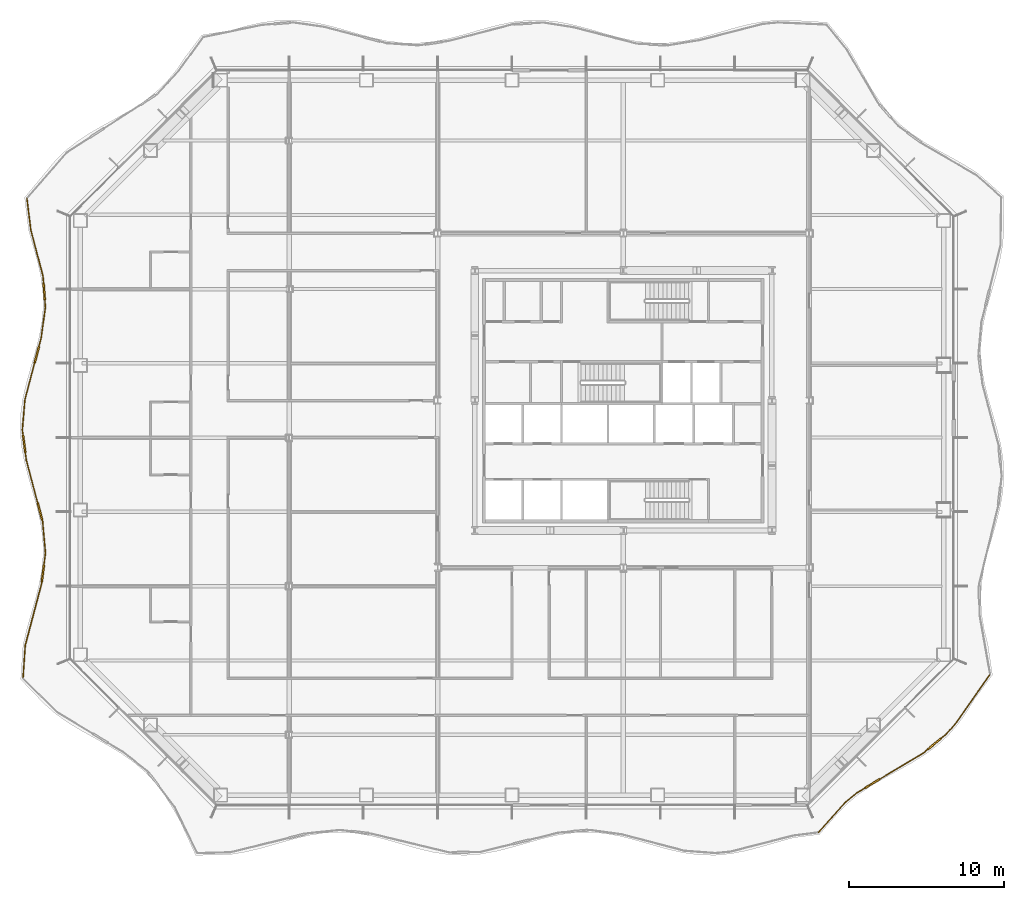
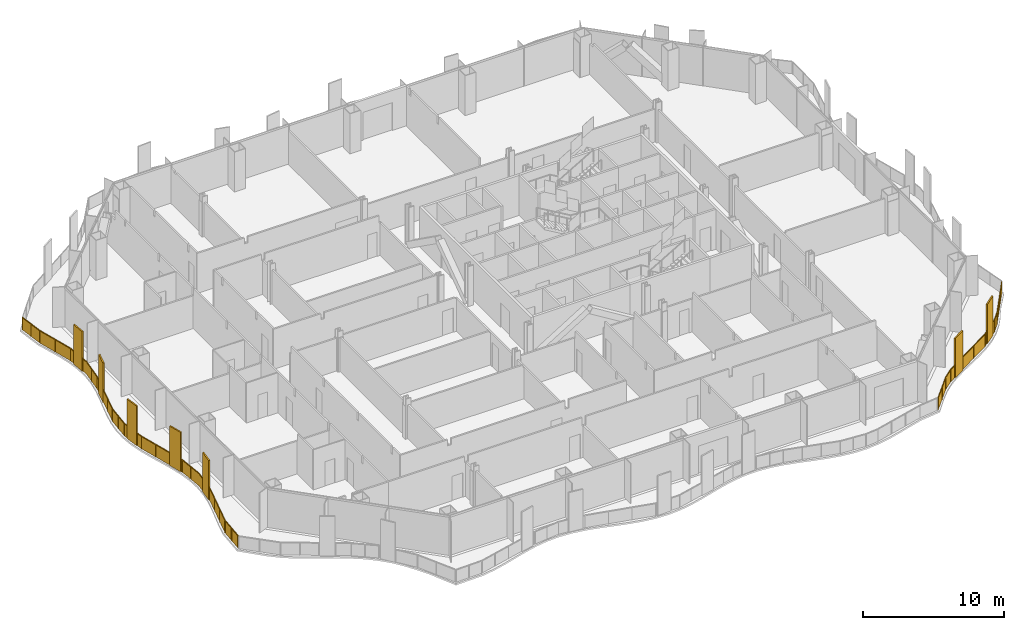
# One storey, part 13 of 17: 2 railings.
"""IFC4 building model written with IfcOpenShell, lengths in metres."""

from ifc_helpers import new_model, si_unit, direction, frame, origin, origin_2d, place, context, subcontext, project, spatial, polyline, rectangle, outline, extrude, material, type_object, element, save


model = new_model("IFC4")

# Units and contexts
model_context = context("Model", 3, precision=1e-05, world=origin(), true_north=direction((0.0, 1.0)))
body_context = subcontext(model_context, "Body", "Model", "MODEL_VIEW")
ifc_project = project(units=[si_unit("LENGTHUNIT", "METRE"), si_unit("AREAUNIT", "SQUARE_METRE"), si_unit("VOLUMEUNIT", "CUBIC_METRE"), si_unit("PLANEANGLEUNIT", "RADIAN"), si_unit("MASSUNIT", "GRAM", prefix="KILO")], contexts=[model_context])

# Site, building, storey
site_placement = place(None, origin())
site = spatial("IfcSite", under=ifc_project, at=site_placement, CompositionType="ELEMENT")
building_placement = place(site_placement, origin())
building = spatial("IfcBuilding", under=site, at=building_placement, Name="Cairn Pilgrim Tower", CompositionType="ELEMENT")
storey_placement = place(building_placement, frame((0.0, 0.0, 79.800048828125)))
storey = spatial("IfcBuildingStorey", under=building, at=storey_placement, Name="L18", CompositionType="ELEMENT", Elevation=79.800048828125)

# Railings
ifc_material = material(Name="Bronze anodised aluminium rail, posts and fin screens with laminated glass infill", Category="aluminium")
railing_type = type_object("IfcRailingType", Name="BALCONY GUARD WITH FIN SCREENS", PredefinedType="GUARDRAIL", material=ifc_material)
railing_1_placement = place(storey_placement, frame((19.806396484375, -25.50146484375, 0.0)))
element("IfcRailing", 1, at=railing_1_placement, inside=storey, type_object=railing_type, Name="Balcony guard BGF-2 with fin screens", PredefinedType="GUARDRAIL", context=body_context, shape_type="SweptSolid", body=[
    extrude(rectangle(XDim=0.050048828125, YDim=0.050048828125, at=origin_2d()), frame((0.0, 0.0, 1.0751953125), z_axis=(0.669372577271, 0.742926882538, 0.0), x_axis=(-0.742926882538, 0.669372577271, 0.0)), (0.0, 0.0, 1.0), 2.5791015625),
    extrude(rectangle(XDim=0.050048828125, YDim=0.050048828125, at=origin_2d()), frame((1.726318359375, 1.916015625, 1.0751953125), z_axis=(0.769505319522, 0.638640402126, 0.0), x_axis=(-0.638640402126, 0.769505319522, 0.0)), (0.0, 0.0, 1.0), 0.996337890625),
    extrude(rectangle(XDim=1.10009765625, YDim=0.110107421875, at=origin_2d()), frame((3.4912109375, 3.150390625, 0.0), z_axis=(0.0, 0.0, 1.0), x_axis=(0.857803039217, 0.513978546158, 0.0)), (0.0, 0.0, 1.0), 3.39990234375),
    extrude(rectangle(XDim=0.050048828125, YDim=0.050048828125, at=origin_2d()), frame((2.492919921875, 2.55224609375, 1.0751953125), z_axis=(0.857803039217, 0.513978546158, 0.0), x_axis=(-0.513978546158, 0.857803039217, 0.0)), (0.0, 0.0, 1.0), 0.61376953125),
    extrude(rectangle(XDim=0.050048828125, YDim=0.050048828125, at=origin_2d()), frame((3.962890625, 3.43310546875, 1.0751953125), z_axis=(0.857803039217, 0.513978546158, 0.0), x_axis=(-0.513978546158, 0.857803039217, 0.0)), (0.0, 0.0, 1.0), 3.28515625),
    extrude(rectangle(XDim=1.10009765625, YDim=0.110107421875, at=origin_2d()), frame((7.51220703125, 5.723876953125, 0.0), z_axis=(0.0, 0.0, 1.0), x_axis=(0.771805757531, 0.635858374673, 0.0)), (0.0, 0.0, 1.0), 3.39990234375),
    extrude(rectangle(XDim=0.050048828125, YDim=0.050048828125, at=origin_2d()), frame((6.781005859375, 5.12158203125, 1.0751953125), z_axis=(0.771805757531, 0.635858374673, 0.0), x_axis=(-0.635858374673, 0.771805757531, 0.0)), (0.0, 0.0, 1.0), 0.397216796875),
    extrude(rectangle(XDim=0.050048828125, YDim=0.050048828125, at=origin_2d()), frame((7.9365234375, 6.07373046875, 1.0751953125), z_axis=(0.771805757531, 0.635858374673, 0.0), x_axis=(-0.635858374673, 0.771805757531, 0.0)), (0.0, 0.0, 1.0), 0.427978515625),
    extrude(rectangle(XDim=0.050048828125, YDim=0.050048828125, at=origin_2d()), frame((8.266845703125, 6.345703125, 1.0751953125), z_axis=(0.658722586756, 0.752385907429, 0.0), x_axis=(-0.752385907429, 0.658722586756, 0.0)), (0.0, 0.0, 1.0), 0.951416015625),
    extrude(rectangle(XDim=0.050048828125, YDim=0.050048828125, at=origin_2d()), frame((8.8935546875, 7.0615234375, 1.0751953125), z_axis=(0.573518794437, 0.819192402569, 0.0), x_axis=(-0.819192402569, 0.573518794437, 0.0)), (0.0, 0.0, 1.0), 3.773193359375),
    extrude(rectangle(XDim=0.050048828125, YDim=0.050048828125, at=origin_2d()), origin(), (0.0, 0.0, 1.0), 1.050048828125),
    extrude(rectangle(XDim=0.050048828125, YDim=0.050048828125, at=origin_2d()), frame((0.86328125, 0.9580078125, 0.0)), (0.0, 0.0, 1.0), 1.050048828125),
    extrude(rectangle(XDim=0.050048828125, YDim=0.050048828125, at=origin_2d()), frame((1.726318359375, 1.916015625, 0.0)), (0.0, 0.0, 1.0), 1.050048828125),
    extrude(rectangle(XDim=0.050048828125, YDim=0.050048828125, at=origin_2d()), frame((2.492919921875, 2.55224609375, 0.0)), (0.0, 0.0, 1.0), 1.050048828125),
    extrude(rectangle(XDim=0.050048828125, YDim=0.050048828125, at=origin_2d()), frame((2.998046875, 2.854736328125, 0.0)), (0.0, 0.0, 1.0), 1.050048828125),
    extrude(rectangle(XDim=0.050048828125, YDim=0.050048828125, at=origin_2d()), frame((3.984375, 3.446044921875, 0.0)), (0.0, 0.0, 1.0), 1.050048828125),
    extrude(rectangle(XDim=0.050048828125, YDim=0.050048828125, at=origin_2d()), frame((5.3828125, 4.28369140625, 0.0)), (0.0, 0.0, 1.0), 1.050048828125),
    extrude(rectangle(XDim=0.050048828125, YDim=0.050048828125, at=origin_2d()), frame((6.781005859375, 5.12158203125, 0.0)), (0.0, 0.0, 1.0), 1.050048828125),
    extrude(rectangle(XDim=0.050048828125, YDim=0.050048828125, at=origin_2d()), frame((7.068359375, 5.358154296875, 0.0)), (0.0, 0.0, 1.0), 1.050048828125),
    extrude(rectangle(XDim=0.050048828125, YDim=0.050048828125, at=origin_2d()), frame((7.955810546875, 6.089599609375, 0.0)), (0.0, 0.0, 1.0), 1.050048828125),
    extrude(rectangle(XDim=0.050048828125, YDim=0.050048828125, at=origin_2d()), frame((8.266845703125, 6.345703125, 0.0)), (0.0, 0.0, 1.0), 1.050048828125),
    extrude(rectangle(XDim=0.050048828125, YDim=0.050048828125, at=origin_2d()), frame((8.8935546875, 7.0615234375, 0.0)), (0.0, 0.0, 1.0), 1.050048828125),
    extrude(rectangle(XDim=0.050048828125, YDim=0.050048828125, at=origin_2d()), frame((9.614990234375, 8.091796875, 0.0)), (0.0, 0.0, 1.0), 1.050048828125),
    extrude(rectangle(XDim=0.050048828125, YDim=0.050048828125, at=origin_2d()), frame((10.336181640625, 9.122314453125, 0.0)), (0.0, 0.0, 1.0), 1.050048828125),
    extrude(rectangle(XDim=0.050048828125, YDim=0.050048828125, at=origin_2d()), frame((11.0576171875, 10.152587890625, 0.0)), (0.0, 0.0, 1.0), 1.050048828125),
    extrude(outline(polyline([(0.02490234375, 0.0), (1.264404296875, 0.0), (1.264404296875, 1.050048828125), (0.02490234375, 1.050048828125), (0.02490234375, 0.0)])), frame((-0.00439453125, 0.00390625, 0.0), z_axis=(0.742926882538, -0.669372577271, 0.0), x_axis=(0.669372577271, 0.742926882538, 0.0)), (0.0, 0.0, 1.0), 0.011962890625),
    extrude(outline(polyline([(0.02490234375, 0.0), (1.264404296875, 0.0), (1.264404296875, 1.050048828125), (0.02490234375, 1.050048828125), (0.02490234375, 0.0)])), frame((0.858642578125, 0.9619140625, 0.0), z_axis=(0.742926882538, -0.669372577271, 0.0), x_axis=(0.669372577271, 0.742926882538, 0.0)), (0.0, 0.0, 1.0), 0.011962890625),
    extrude(outline(polyline([(0.02490234375, 0.0), (0.97119140625, 0.0), (0.97119140625, 1.050048828125), (0.02490234375, 1.050048828125), (0.02490234375, 0.0)])), frame((1.722412109375, 1.920654296875, 0.0), z_axis=(0.638640402126, -0.769505319522, 0.0), x_axis=(0.769505319522, 0.638640402126, 0.0)), (0.0, 0.0, 1.0), 0.011962890625),
    extrude(outline(polyline([(0.02490234375, 0.0), (0.563720703125, 0.0), (0.563720703125, 1.050048828125), (0.02490234375, 1.050048828125), (0.02490234375, 0.0)])), frame((2.48974609375, 2.557373046875, 0.0), z_axis=(0.513978546158, -0.857803039217, 0.0), x_axis=(0.857803039217, 0.513978546158, 0.0)), (0.0, 0.0, 1.0), 0.011962890625),
    extrude(outline(polyline([(0.02490234375, 0.0), (1.60498046875, 0.0), (1.60498046875, 1.050048828125), (0.02490234375, 1.050048828125), (0.02490234375, 0.0)])), frame((3.9814453125, 3.451171875, 0.0), z_axis=(0.513978546158, -0.857803039217, 0.0), x_axis=(0.857803039217, 0.513978546158, 0.0)), (0.0, 0.0, 1.0), 0.011962890625),
    extrude(outline(polyline([(0.02490234375, 0.0), (1.60498046875, 0.0), (1.60498046875, 1.050048828125), (0.02490234375, 1.050048828125), (0.02490234375, 0.0)])), frame((5.379638671875, 4.288818359375, 0.0), z_axis=(0.513978546158, -0.857803039217, 0.0), x_axis=(0.857803039217, 0.513978546158, 0.0)), (0.0, 0.0, 1.0), 0.011962890625),
    extrude(outline(polyline([(0.02490234375, 0.0), (0.34716796875, 0.0), (0.34716796875, 1.050048828125), (0.02490234375, 1.050048828125), (0.02490234375, 0.0)])), frame((6.777099609375, 5.126220703125, 0.0), z_axis=(0.635858374673, -0.771805757531, 0.0), x_axis=(0.771805757531, 0.635858374673, 0.0)), (0.0, 0.0, 1.0), 0.011962890625),
    extrude(outline(polyline([(0.02490234375, 0.0), (0.3779296875, 0.0), (0.3779296875, 1.050048828125), (0.02490234375, 1.050048828125), (0.02490234375, 0.0)])), frame((7.9521484375, 6.09423828125, 0.0), z_axis=(0.635858374673, -0.771805757531, 0.0), x_axis=(0.771805757531, 0.635858374673, 0.0)), (0.0, 0.0, 1.0), 0.011962890625),
    extrude(outline(polyline([(0.02490234375, 0.0), (0.92626953125, 0.0), (0.92626953125, 1.050048828125), (0.02490234375, 1.050048828125), (0.02490234375, 0.0)])), frame((8.262451171875, 6.349609375, 0.0), z_axis=(0.752385907429, -0.658722586756, 0.0), x_axis=(0.658722586756, 0.752385907429, 0.0)), (0.0, 0.0, 1.0), 0.011962890625),
    extrude(outline(polyline([(0.02490234375, 0.0), (1.232666015625, 0.0), (1.232666015625, 1.050048828125), (0.02490234375, 1.050048828125), (0.02490234375, 0.0)])), frame((8.888671875, 7.06494140625, 0.0), z_axis=(0.819192402569, -0.573518794437, 0.0), x_axis=(0.573518794437, 0.819192402569, 0.0)), (0.0, 0.0, 1.0), 0.011962890625),
    extrude(outline(polyline([(0.02490234375, 0.0), (1.232666015625, 0.0), (1.232666015625, 1.050048828125), (0.02490234375, 1.050048828125), (0.02490234375, 0.0)])), frame((9.610107421875, 8.09521484375, 0.0), z_axis=(0.819192402569, -0.573518794437, 0.0), x_axis=(0.573518794437, 0.819192402569, 0.0)), (0.0, 0.0, 1.0), 0.011962890625),
    extrude(outline(polyline([(0.02490234375, 0.0), (1.232666015625, 0.0), (1.232666015625, 1.050048828125), (0.02490234375, 1.050048828125), (0.02490234375, 0.0)])), frame((10.331298828125, 9.125732421875, 0.0), z_axis=(0.819192402569, -0.573518794437, 0.0), x_axis=(0.573518794437, 0.819192402569, 0.0)), (0.0, 0.0, 1.0), 0.011962890625),
])
railing_2_placement = place(storey_placement, frame((-31.350341796875, 15.473388671875, 0.0)))
element("IfcRailing", 2, at=railing_2_placement, inside=storey, type_object=railing_type, Name="Balcony guard BGF-7 with fin screens", PredefinedType="GUARDRAIL", context=body_context, shape_type="SweptSolid", body=[
    extrude(rectangle(XDim=0.050048828125, YDim=0.050048828125, at=origin_2d()), frame((0.0, 0.0, 1.0751953125), z_axis=(0.1221029482, -0.992517440673, 0.0), x_axis=(0.992517440673, 0.1221029482, 0.0)), (0.0, 0.0, 1.0), 2.053466796875),
    extrude(rectangle(XDim=0.050048828125, YDim=0.050048828125, at=origin_2d()), frame((0.250732421875, -2.0380859375, 1.0751953125), z_axis=(0.255252920373, -0.966874317914, 0.0), x_axis=(0.966874317914, 0.255252920373, 0.0)), (0.0, 0.0, 1.0), 3.084716796875),
    extrude(rectangle(XDim=1.10009765625, YDim=0.110107421875, at=origin_2d()), frame((1.115478515625, -6.005615234375, 0.0), z_axis=(0.0, 0.0, 1.0), x_axis=(0.078238304034, -0.996934685815, 0.0)), (0.0, 0.0, 1.0), 3.39990234375),
    extrude(rectangle(XDim=0.050048828125, YDim=0.050048828125, at=origin_2d()), frame((1.0380859375, -5.0205078125, 1.0751953125), z_axis=(0.078238304034, -0.996934685815, 0.0), x_axis=(0.996934685815, 0.078238304034, 0.0)), (0.0, 0.0, 1.0), 0.43798828125),
    extrude(rectangle(XDim=0.050048828125, YDim=0.050048828125, at=origin_2d()), frame((1.158447265625, -6.553955078125, 1.0751953125), z_axis=(0.078238304034, -0.996934685815, 0.0), x_axis=(0.996934685815, 0.078238304034, 0.0)), (0.0, 0.0, 1.0), 0.484130859375),
    extrude(rectangle(XDim=0.050048828125, YDim=0.050048828125, at=origin_2d()), frame((1.1962890625, -7.036376953125, 1.0751953125), z_axis=(-0.137060499236, -0.990562678254, 0.0), x_axis=(0.990562678254, -0.137060499236, 0.0)), (0.0, 0.0, 1.0), 2.030517578125),
    extrude(rectangle(XDim=1.10009765625, YDim=0.110107421875, at=origin_2d()), frame((0.639404296875, -10.1025390625, 0.0), z_axis=(0.0, 0.0, 1.0), x_axis=(-0.255403711426, -0.966834496793, 0.0)), (0.0, 0.0, 1.0), 3.39990234375),
    extrude(rectangle(XDim=0.050048828125, YDim=0.050048828125, at=origin_2d()), frame((0.91796875, -9.0478515625, 1.0751953125), z_axis=(-0.255403711426, -0.966834496793, 0.0), x_axis=(0.966834496793, -0.255403711426, 0.0)), (0.0, 0.0, 1.0), 0.540771484375),
    extrude(rectangle(XDim=0.050048828125, YDim=0.050048828125, at=origin_2d()), frame((0.498779296875, -10.63427734375, 1.0751953125), z_axis=(-0.255403711426, -0.966834496793, 0.0), x_axis=(0.966834496793, -0.255403711426, 0.0)), (0.0, 0.0, 1.0), 2.4638671875),
    extrude(rectangle(XDim=0.050048828125, YDim=0.050048828125, at=origin_2d()), frame((-0.13037109375, -13.016357421875, 1.0751953125), z_axis=(-0.084166909647, -0.996451670339, 0.0), x_axis=(0.996451670339, -0.084166909647, 0.0)), (0.0, 0.0, 1.0), 1.9638671875),
    extrude(rectangle(XDim=1.10009765625, YDim=0.110107421875, at=origin_2d()), frame((-0.176513671875, -15.869140625, 0.0), z_axis=(0.0, 0.0, 1.0), x_axis=(0.131702853889, -0.991289240473, 0.0)), (0.0, 0.0, 1.0), 3.39990234375),
    extrude(rectangle(XDim=0.050048828125, YDim=0.050048828125, at=origin_2d()), frame((-0.295654296875, -14.97314453125, 1.0751953125), z_axis=(0.131702853889, -0.991289240473, 0.0), x_axis=(0.991289240473, 0.131702853889, 0.0)), (0.0, 0.0, 1.0), 0.353759765625),
    extrude(rectangle(XDim=0.050048828125, YDim=0.050048828125, at=origin_2d()), frame((-0.104248046875, -16.414306640625, 1.0751953125), z_axis=(0.131702853889, -0.991289240473, 0.0), x_axis=(0.991289240473, 0.131702853889, 0.0)), (0.0, 0.0, 1.0), 0.524169921875),
    extrude(rectangle(XDim=1.10009765625, YDim=0.110107421875, at=origin_2d()), frame((0.838134765625, -20.232666015625, 0.0), z_axis=(0.0, 0.0, 1.0), x_axis=(0.255921930689, -0.966697452874, 0.0)), (0.0, 0.0, 1.0), 3.39990234375),
    extrude(rectangle(XDim=0.050048828125, YDim=0.050048828125, at=origin_2d()), frame((-0.03515625, -16.933837890625, 1.0751953125), z_axis=(0.255921930689, -0.966697452874, 0.0), x_axis=(0.966697452874, 0.255921930689, 0.0)), (0.0, 0.0, 1.0), 2.8623046875),
    extrude(rectangle(XDim=0.050048828125, YDim=0.050048828125, at=origin_2d()), frame((0.97900390625, -20.764404296875, 1.0751953125), z_axis=(0.255921930689, -0.966697452874, 0.0), x_axis=(0.966697452874, 0.255921930689, 0.0)), (0.0, 0.0, 1.0), 0.150146484375),
    extrude(rectangle(XDim=0.050048828125, YDim=0.050048828125, at=origin_2d()), frame((1.017333984375, -20.909423828125, 1.0751953125), z_axis=(0.090024344552, -0.995939565128, 0.0), x_axis=(0.995939565128, 0.090024344552, 0.0)), (0.0, 0.0, 1.0), 2.023193359375),
    extrude(rectangle(XDim=1.10009765625, YDim=0.110107421875, at=origin_2d()), frame((1.031494140625, -24.2421875, 0.0), z_axis=(0.0, 0.0, 1.0), x_axis=(-0.12635978431, -0.991984478159, 0.0)), (0.0, 0.0, 1.0), 3.39990234375),
    extrude(rectangle(XDim=0.050048828125, YDim=0.050048828125, at=origin_2d()), frame((1.199462890625, -22.92431640625, 1.0751953125), z_axis=(-0.12635978431, -0.991984478159, 0.0), x_axis=(0.991984478159, -0.12635978431, 0.0)), (0.0, 0.0, 1.0), 0.778564453125),
    extrude(rectangle(XDim=0.050048828125, YDim=0.050048828125, at=origin_2d()), frame((0.962158203125, -24.787841796875, 1.0751953125), z_axis=(-0.12635978431, -0.991984478159, 0.0), x_axis=(0.991984478159, -0.12635978431, 0.0)), (0.0, 0.0, 1.0), 0.150146484375),
    extrude(rectangle(XDim=0.050048828125, YDim=0.050048828125, at=origin_2d()), frame((0.943115234375, -24.936767578125, 1.0751953125), z_axis=(-0.256266876343, -0.966606066652, 0.0), x_axis=(0.966606066652, -0.256266876343, 0.0)), (0.0, 0.0, 1.0), 4.105224609375),
    extrude(rectangle(XDim=0.050048828125, YDim=0.050048828125, at=origin_2d()), frame((-0.10888671875, -28.90478515625, 1.0751953125), z_axis=(-0.06691638949, -0.997758586441, 0.0), x_axis=(0.997758586441, -0.06691638949, 0.0)), (0.0, 0.0, 1.0), 2.07958984375),
    extrude(rectangle(XDim=0.050048828125, YDim=0.050048828125, at=origin_2d()), origin(), (0.0, 0.0, 1.0), 1.050048828125),
    extrude(rectangle(XDim=0.050048828125, YDim=0.050048828125, at=origin_2d()), frame((0.12548828125, -1.01904296875, 0.0)), (0.0, 0.0, 1.0), 1.050048828125),
    extrude(rectangle(XDim=0.050048828125, YDim=0.050048828125, at=origin_2d()), frame((0.250732421875, -2.0380859375, 0.0)), (0.0, 0.0, 1.0), 1.050048828125),
    extrude(rectangle(XDim=0.050048828125, YDim=0.050048828125, at=origin_2d()), frame((0.64453125, -3.529296875, 0.0)), (0.0, 0.0, 1.0), 1.050048828125),
    extrude(rectangle(XDim=0.050048828125, YDim=0.050048828125, at=origin_2d()), frame((1.0380859375, -5.0205078125, 0.0)), (0.0, 0.0, 1.0), 1.050048828125),
    extrude(rectangle(XDim=0.050048828125, YDim=0.050048828125, at=origin_2d()), frame((1.0703125, -5.432373046875, 0.0)), (0.0, 0.0, 1.0), 1.050048828125),
    extrude(rectangle(XDim=0.050048828125, YDim=0.050048828125, at=origin_2d()), frame((1.160400390625, -6.578857421875, 0.0)), (0.0, 0.0, 1.0), 1.050048828125),
    extrude(rectangle(XDim=0.050048828125, YDim=0.050048828125, at=origin_2d()), frame((1.1962890625, -7.036376953125, 0.0)), (0.0, 0.0, 1.0), 1.050048828125),
    extrude(rectangle(XDim=0.050048828125, YDim=0.050048828125, at=origin_2d()), frame((1.05712890625, -8.0419921875, 0.0)), (0.0, 0.0, 1.0), 1.050048828125),
    extrude(rectangle(XDim=0.050048828125, YDim=0.050048828125, at=origin_2d()), frame((0.91796875, -9.0478515625, 0.0)), (0.0, 0.0, 1.0), 1.050048828125),
    extrude(rectangle(XDim=0.050048828125, YDim=0.050048828125, at=origin_2d()), frame((0.7861328125, -9.546630859375, 0.0)), (0.0, 0.0, 1.0), 1.050048828125),
    extrude(rectangle(XDim=0.050048828125, YDim=0.050048828125, at=origin_2d()), frame((0.492431640625, -10.658447265625, 0.0)), (0.0, 0.0, 1.0), 1.050048828125),
    extrude(rectangle(XDim=0.050048828125, YDim=0.050048828125, at=origin_2d()), frame((0.18115234375, -11.83740234375, 0.0)), (0.0, 0.0, 1.0), 1.050048828125),
    extrude(rectangle(XDim=0.050048828125, YDim=0.050048828125, at=origin_2d()), frame((-0.13037109375, -13.016357421875, 0.0)), (0.0, 0.0, 1.0), 1.050048828125),
    extrude(rectangle(XDim=0.050048828125, YDim=0.050048828125, at=origin_2d()), frame((-0.212890625, -13.99462890625, 0.0)), (0.0, 0.0, 1.0), 1.050048828125),
    extrude(rectangle(XDim=0.050048828125, YDim=0.050048828125, at=origin_2d()), frame((-0.295654296875, -14.97314453125, 0.0)), (0.0, 0.0, 1.0), 1.050048828125),
    extrude(rectangle(XDim=0.050048828125, YDim=0.050048828125, at=origin_2d()), frame((-0.25244140625, -15.299072265625, 0.0)), (0.0, 0.0, 1.0), 1.050048828125),
    extrude(rectangle(XDim=0.050048828125, YDim=0.050048828125, at=origin_2d()), frame((-0.100830078125, -16.439208984375, 0.0)), (0.0, 0.0, 1.0), 1.050048828125),
    extrude(rectangle(XDim=0.050048828125, YDim=0.050048828125, at=origin_2d()), frame((-0.03515625, -16.933837890625, 0.0)), (0.0, 0.0, 1.0), 1.050048828125),
    extrude(rectangle(XDim=0.050048828125, YDim=0.050048828125, at=origin_2d()), frame((0.327880859375, -18.30517578125, 0.0)), (0.0, 0.0, 1.0), 1.050048828125),
    extrude(rectangle(XDim=0.050048828125, YDim=0.050048828125, at=origin_2d()), frame((0.69091796875, -19.6767578125, 0.0)), (0.0, 0.0, 1.0), 1.050048828125),
    extrude(rectangle(XDim=0.050048828125, YDim=0.050048828125, at=origin_2d()), frame((0.9853515625, -20.78857421875, 0.0)), (0.0, 0.0, 1.0), 1.050048828125),
    extrude(rectangle(XDim=0.050048828125, YDim=0.050048828125, at=origin_2d()), frame((1.017333984375, -20.909423828125, 0.0)), (0.0, 0.0, 1.0), 1.050048828125),
    extrude(rectangle(XDim=0.050048828125, YDim=0.050048828125, at=origin_2d()), frame((1.1083984375, -21.9169921875, 0.0)), (0.0, 0.0, 1.0), 1.050048828125),
    extrude(rectangle(XDim=0.050048828125, YDim=0.050048828125, at=origin_2d()), frame((1.199462890625, -22.92431640625, 0.0)), (0.0, 0.0, 1.0), 1.050048828125),
    extrude(rectangle(XDim=0.050048828125, YDim=0.050048828125, at=origin_2d()), frame((1.104248046875, -23.671875, 0.0)), (0.0, 0.0, 1.0), 1.050048828125),
    extrude(rectangle(XDim=0.050048828125, YDim=0.050048828125, at=origin_2d()), frame((0.958984375, -24.812744140625, 0.0)), (0.0, 0.0, 1.0), 1.050048828125),
    extrude(rectangle(XDim=0.050048828125, YDim=0.050048828125, at=origin_2d()), frame((0.943115234375, -24.936767578125, 0.0)), (0.0, 0.0, 1.0), 1.050048828125),
    extrude(rectangle(XDim=0.050048828125, YDim=0.050048828125, at=origin_2d()), frame((0.592529296875, -26.259521484375, 0.0)), (0.0, 0.0, 1.0), 1.050048828125),
    extrude(rectangle(XDim=0.050048828125, YDim=0.050048828125, at=origin_2d()), frame((0.24169921875, -27.58203125, 0.0)), (0.0, 0.0, 1.0), 1.050048828125),
    extrude(rectangle(XDim=0.050048828125, YDim=0.050048828125, at=origin_2d()), frame((-0.10888671875, -28.90478515625, 0.0)), (0.0, 0.0, 1.0), 1.050048828125),
    extrude(rectangle(XDim=0.050048828125, YDim=0.050048828125, at=origin_2d()), frame((-0.178466796875, -29.9423828125, 0.0)), (0.0, 0.0, 1.0), 1.050048828125),
    extrude(rectangle(XDim=0.050048828125, YDim=0.050048828125, at=origin_2d()), frame((-0.248046875, -30.979736328125, 0.0)), (0.0, 0.0, 1.0), 1.050048828125),
    extrude(outline(polyline([(0.02490234375, 0.0), (1.001708984375, 0.0), (1.001708984375, 1.050048828125), (0.02490234375, 1.050048828125), (0.02490234375, 0.0)])), frame((0.005859375, 0.000732421875, 0.0), z_axis=(-0.992517440673, -0.1221029482, 0.0), x_axis=(0.1221029482, -0.992517440673, 0.0)), (0.0, 0.0, 1.0), 0.011962890625),
    extrude(outline(polyline([(0.02490234375, 0.0), (1.001708984375, 0.0), (1.001708984375, 1.050048828125), (0.02490234375, 1.050048828125), (0.02490234375, 0.0)])), frame((0.13134765625, -1.018310546875, 0.0), z_axis=(-0.992517440673, -0.1221029482, 0.0), x_axis=(0.1221029482, -0.992517440673, 0.0)), (0.0, 0.0, 1.0), 0.011962890625),
    extrude(outline(polyline([(0.02490234375, 0.0), (1.517333984375, 0.0), (1.517333984375, 1.050048828125), (0.02490234375, 1.050048828125), (0.02490234375, 0.0)])), frame((0.256591796875, -2.03662109375, 0.0), z_axis=(-0.966874317914, -0.255252920373, 0.0), x_axis=(0.255252920373, -0.966874317914, 0.0)), (0.0, 0.0, 1.0), 0.011962890625),
    extrude(outline(polyline([(0.02490234375, 0.0), (1.517333984375, 0.0), (1.517333984375, 1.050048828125), (0.02490234375, 1.050048828125), (0.02490234375, 0.0)])), frame((0.650146484375, -3.52783203125, 0.0), z_axis=(-0.966874317914, -0.255252920373, 0.0), x_axis=(0.255252920373, -0.966874317914, 0.0)), (0.0, 0.0, 1.0), 0.011962890625),
    extrude(outline(polyline([(0.02490234375, 0.0), (0.387939453125, 0.0), (0.387939453125, 1.050048828125), (0.02490234375, 1.050048828125), (0.02490234375, 0.0)])), frame((1.0439453125, -5.02001953125, 0.0), z_axis=(-0.996934685815, -0.078238304034, 0.0), x_axis=(0.078238304034, -0.996934685815, 0.0)), (0.0, 0.0, 1.0), 0.011962890625),
    extrude(outline(polyline([(0.02490234375, 0.0), (0.43408203125, 0.0), (0.43408203125, 1.050048828125), (0.02490234375, 1.050048828125), (0.02490234375, 0.0)])), frame((1.166259765625, -6.578369140625, 0.0), z_axis=(-0.996934685815, -0.078238304034, 0.0), x_axis=(0.078238304034, -0.996934685815, 0.0)), (0.0, 0.0, 1.0), 0.011962890625),
    extrude(outline(polyline([(0.02490234375, 0.0), (0.990234375, 0.0), (0.990234375, 1.050048828125), (0.02490234375, 1.050048828125), (0.02490234375, 0.0)])), frame((1.2021484375, -7.037109375, 0.0), z_axis=(-0.990562678254, 0.137060499236, 0.0), x_axis=(-0.137060499236, -0.990562678254, 0.0)), (0.0, 0.0, 1.0), 0.011962890625),
    extrude(outline(polyline([(0.02490234375, 0.0), (0.990234375, 0.0), (0.990234375, 1.050048828125), (0.02490234375, 1.050048828125), (0.02490234375, 0.0)])), frame((1.06298828125, -8.04296875, 0.0), z_axis=(-0.990562678254, 0.137060499236, 0.0), x_axis=(-0.137060499236, -0.990562678254, 0.0)), (0.0, 0.0, 1.0), 0.011962890625),
    extrude(outline(polyline([(0.02490234375, 0.0), (0.49072265625, 0.0), (0.49072265625, 1.050048828125), (0.02490234375, 1.050048828125), (0.02490234375, 0.0)])), frame((0.923828125, -9.04931640625, 0.0), z_axis=(-0.966834496793, 0.255403711426, 0.0), x_axis=(-0.255403711426, -0.966834496793, 0.0)), (0.0, 0.0, 1.0), 0.011962890625),
    extrude(outline(polyline([(0.02490234375, 0.0), (1.1943359375, 0.0), (1.1943359375, 1.050048828125), (0.02490234375, 1.050048828125), (0.02490234375, 0.0)])), frame((0.498291015625, -10.659912109375, 0.0), z_axis=(-0.966834496793, 0.255403711426, 0.0), x_axis=(-0.255403711426, -0.966834496793, 0.0)), (0.0, 0.0, 1.0), 0.011962890625),
    extrude(outline(polyline([(0.02490234375, 0.0), (1.1943359375, 0.0), (1.1943359375, 1.050048828125), (0.02490234375, 1.050048828125), (0.02490234375, 0.0)])), frame((0.186767578125, -11.8388671875, 0.0), z_axis=(-0.966834496793, 0.255403711426, 0.0), x_axis=(-0.255403711426, -0.966834496793, 0.0)), (0.0, 0.0, 1.0), 0.011962890625),
    extrude(outline(polyline([(0.02490234375, 0.0), (0.956787109375, 0.0), (0.956787109375, 1.050048828125), (0.02490234375, 1.050048828125), (0.02490234375, 0.0)])), frame((-0.12451171875, -13.016845703125, 0.0), z_axis=(-0.996451670339, 0.084166909647, 0.0), x_axis=(-0.084166909647, -0.996451670339, 0.0)), (0.0, 0.0, 1.0), 0.011962890625),
    extrude(outline(polyline([(0.02490234375, 0.0), (0.956787109375, 0.0), (0.956787109375, 1.050048828125), (0.02490234375, 1.050048828125), (0.02490234375, 0.0)])), frame((-0.20703125, -13.995361328125, 0.0), z_axis=(-0.996451670339, 0.084166909647, 0.0), x_axis=(-0.084166909647, -0.996451670339, 0.0)), (0.0, 0.0, 1.0), 0.011962890625),
    extrude(outline(polyline([(0.02490234375, 0.0), (0.3037109375, 0.0), (0.3037109375, 1.050048828125), (0.02490234375, 1.050048828125), (0.02490234375, 0.0)])), frame((-0.289794921875, -14.972412109375, 0.0), z_axis=(-0.991289240473, -0.131702853889, 0.0), x_axis=(0.131702853889, -0.991289240473, 0.0)), (0.0, 0.0, 1.0), 0.011962890625),
    extrude(outline(polyline([(0.02490234375, 0.0), (0.47412109375, 0.0), (0.47412109375, 1.050048828125), (0.02490234375, 1.050048828125), (0.02490234375, 0.0)])), frame((-0.094970703125, -16.438232421875, 0.0), z_axis=(-0.991289240473, -0.131702853889, 0.0), x_axis=(0.131702853889, -0.991289240473, 0.0)), (0.0, 0.0, 1.0), 0.011962890625),
    extrude(outline(polyline([(0.02490234375, 0.0), (1.3935546875, 0.0), (1.3935546875, 1.050048828125), (0.02490234375, 1.050048828125), (0.02490234375, 0.0)])), frame((-0.029296875, -16.932373046875, 0.0), z_axis=(-0.966697452874, -0.255921930689, 0.0), x_axis=(0.255921930689, -0.966697452874, 0.0)), (0.0, 0.0, 1.0), 0.011962890625),
    extrude(outline(polyline([(0.02490234375, 0.0), (1.3935546875, 0.0), (1.3935546875, 1.050048828125), (0.02490234375, 1.050048828125), (0.02490234375, 0.0)])), frame((0.333740234375, -18.3037109375, 0.0), z_axis=(-0.966697452874, -0.255921930689, 0.0), x_axis=(0.255921930689, -0.966697452874, 0.0)), (0.0, 0.0, 1.0), 0.011962890625),
    extrude(outline(polyline([(0.02490234375, 0.0), (0.10009765625, 0.0), (0.10009765625, 1.050048828125), (0.02490234375, 1.050048828125), (0.02490234375, 0.0)])), frame((0.9912109375, -20.786865234375, 0.0), z_axis=(-0.966697452874, -0.255921930689, 0.0), x_axis=(0.255921930689, -0.966697452874, 0.0)), (0.0, 0.0, 1.0), 0.011962890625),
    extrude(outline(polyline([(0.02490234375, 0.0), (0.986572265625, 0.0), (0.986572265625, 1.050048828125), (0.02490234375, 1.050048828125), (0.02490234375, 0.0)])), frame((1.023193359375, -20.908935546875, 0.0), z_axis=(-0.995939565128, -0.090024344552, 0.0), x_axis=(0.090024344552, -0.995939565128, 0.0)), (0.0, 0.0, 1.0), 0.011962890625),
    extrude(outline(polyline([(0.02490234375, 0.0), (0.986572265625, 0.0), (0.986572265625, 1.050048828125), (0.02490234375, 1.050048828125), (0.02490234375, 0.0)])), frame((1.1142578125, -21.916259765625, 0.0), z_axis=(-0.995939565128, -0.090024344552, 0.0), x_axis=(0.090024344552, -0.995939565128, 0.0)), (0.0, 0.0, 1.0), 0.011962890625),
    extrude(outline(polyline([(0.02490234375, 0.0), (0.728515625, 0.0), (0.728515625, 1.050048828125), (0.02490234375, 1.050048828125), (0.02490234375, 0.0)])), frame((1.205322265625, -22.925048828125, 0.0), z_axis=(-0.991984478159, 0.12635978431, 0.0), x_axis=(-0.12635978431, -0.991984478159, 0.0)), (0.0, 0.0, 1.0), 0.011962890625),
    extrude(outline(polyline([(0.02490234375, 0.0), (0.10009765625, 0.0), (0.10009765625, 1.050048828125), (0.02490234375, 1.050048828125), (0.02490234375, 0.0)])), frame((0.96484375, -24.8134765625, 0.0), z_axis=(-0.991984478159, 0.12635978431, 0.0), x_axis=(-0.12635978431, -0.991984478159, 0.0)), (0.0, 0.0, 1.0), 0.011962890625),
    extrude(outline(polyline([(0.02490234375, 0.0), (1.34326171875, 0.0), (1.34326171875, 1.050048828125), (0.02490234375, 1.050048828125), (0.02490234375, 0.0)])), frame((0.948974609375, -24.938232421875, 0.0), z_axis=(-0.966606066652, 0.256266876343, 0.0), x_axis=(-0.256266876343, -0.966606066652, 0.0)), (0.0, 0.0, 1.0), 0.011962890625),
    extrude(outline(polyline([(0.02490234375, 0.0), (1.34326171875, 0.0), (1.34326171875, 1.050048828125), (0.02490234375, 1.050048828125), (0.02490234375, 0.0)])), frame((0.59814453125, -26.260986328125, 0.0), z_axis=(-0.966606066652, 0.256266876343, 0.0), x_axis=(-0.256266876343, -0.966606066652, 0.0)), (0.0, 0.0, 1.0), 0.011962890625),
    extrude(outline(polyline([(0.02490234375, 0.0), (1.34326171875, 0.0), (1.34326171875, 1.050048828125), (0.02490234375, 1.050048828125), (0.02490234375, 0.0)])), frame((0.24755859375, -27.583740234375, 0.0), z_axis=(-0.966606066652, 0.256266876343, 0.0), x_axis=(-0.256266876343, -0.966606066652, 0.0)), (0.0, 0.0, 1.0), 0.011962890625),
    extrude(outline(polyline([(0.02490234375, 0.0), (1.014892578125, 0.0), (1.014892578125, 1.050048828125), (0.02490234375, 1.050048828125), (0.02490234375, 0.0)])), frame((-0.10302734375, -28.9052734375, 0.0), z_axis=(-0.997758586441, 0.06691638949, 0.0), x_axis=(-0.06691638949, -0.997758586441, 0.0)), (0.0, 0.0, 1.0), 0.011962890625),
    extrude(outline(polyline([(0.02490234375, 0.0), (1.014892578125, 0.0), (1.014892578125, 1.050048828125), (0.02490234375, 1.050048828125), (0.02490234375, 0.0)])), frame((-0.172607421875, -29.942626953125, 0.0), z_axis=(-0.997758586441, 0.06691638949, 0.0), x_axis=(-0.06691638949, -0.997758586441, 0.0)), (0.0, 0.0, 1.0), 0.011962890625),
])

save(model, "model.ifc")
